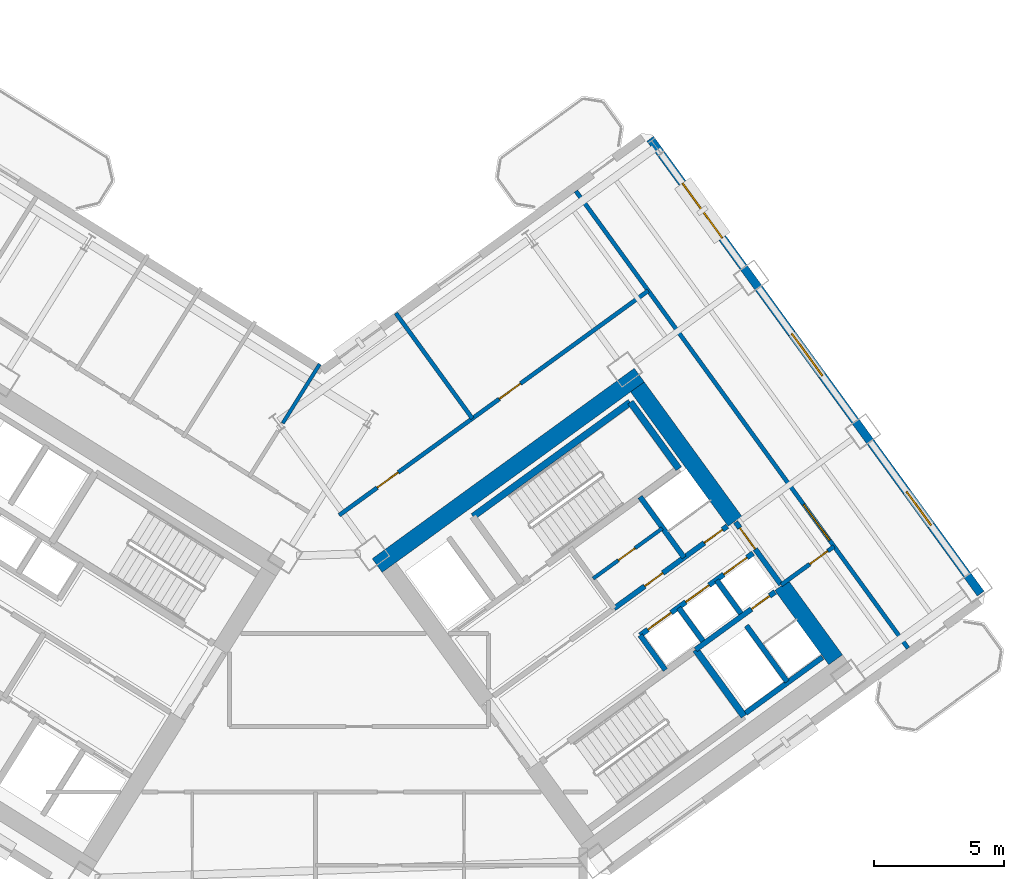
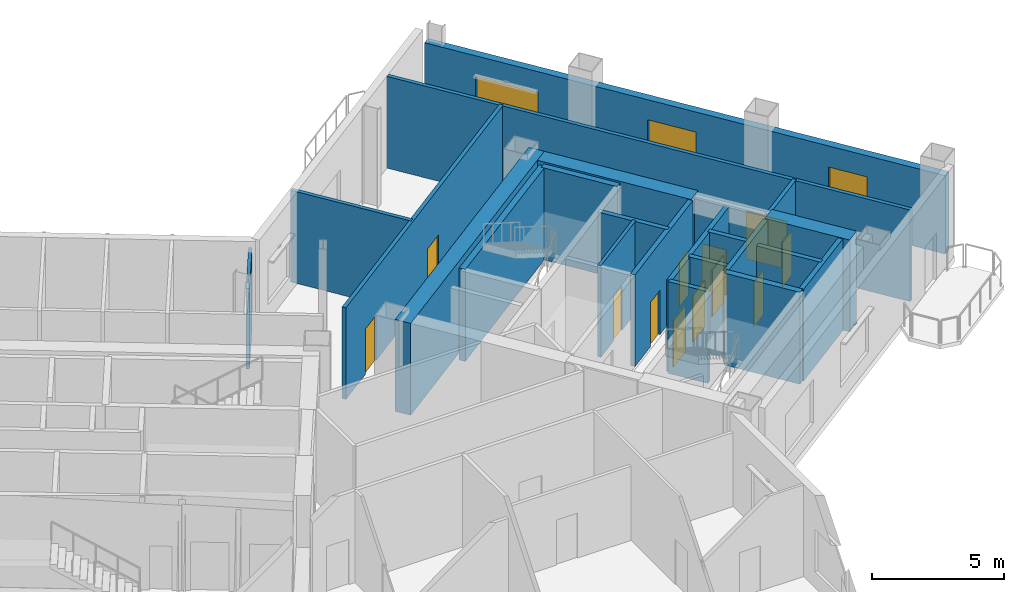
# One storey, part 14 of 19: 23 walls, 12 doors, 3 windows, 15 openings.
"""IFC4 building model written with IfcOpenShell, lengths in metres."""

import ifcopenshell
import ifcopenshell.guid

model = None  # the IFC model being written
_history = None  # IfcOwnerHistory: only IFC2X3 demands one
_inside = {}  # id of a spatial element -> (the spatial element, [elements in it])
_under = {}  # id of a project, library or spatial element -> (it, [spatial elements below it])
_declared = {}  # id of a project -> (the project, [libraries it declares])
_typed = {}  # id of a type object -> (the type object, [elements of that type])
_made_of = {}  # id of a material, layer set ... -> (it, [elements and type objects made of it])


def new_model(schema):
    """Start an empty IFC model of exactly this schema.

    Asked for "IFC4X3", IfcOpenShell would pick the latest addendum, in which some entities
    have other attributes; the version numbers below select the first issue.
    IFC2X3 requires an IfcOwnerHistory on every rooted entity: one is made here for all.
    """
    global model, _history
    if schema == "IFC4X3":
        model = ifcopenshell.file(schema_version=(4, 3, 0, 0))
    else:
        model = ifcopenshell.file(schema=schema)
    _inside.clear()
    _under.clear()
    _declared.clear()
    _typed.clear()
    _made_of.clear()
    _history = None
    if model.schema == "IFC2X3":
        org = make("IfcOrganization", Name="unknown")
        user = make(
            "IfcPersonAndOrganization",
            ThePerson=make("IfcPerson", FamilyName="unknown"),
            TheOrganization=org,
        )
        app = make(
            "IfcApplication",
            ApplicationDeveloper=org,
            Version="unknown",
            ApplicationFullName="unknown",
            ApplicationIdentifier="unknown",
        )
        _history = make(
            "IfcOwnerHistory",
            OwningUser=user,
            OwningApplication=app,
            ChangeAction="ADDED",
            CreationDate=0,
        )
    return model


def make(cls, **values):
    """One entity of the class cls with the attributes given. An attribute that is None is left unset."""
    return model.create_entity(
        cls, **{name: value for name, value in values.items() if value is not None}
    )


def rooted(cls, **values):
    """An entity with a GlobalId (a new one), such as an element, a storey or a relation."""
    return make(cls, GlobalId=ifcopenshell.guid.new(), OwnerHistory=_history, **values)


def si_unit(unit_type, name, prefix=None):
    """IfcSIUnit, for example si_unit("LENGTHUNIT", "METRE", prefix="MILLI")."""
    return make("IfcSIUnit", UnitType=unit_type, Prefix=prefix, Name=name)


def assignment(units):
    """IfcUnitAssignment: the units of a project."""
    return None if units is None else make("IfcUnitAssignment", Units=units)


def point(xyz):
    """IfcCartesianPoint."""
    return None if xyz is None else make("IfcCartesianPoint", Coordinates=xyz)


def direction(xyz):
    """IfcDirection."""
    return None if xyz is None else make("IfcDirection", DirectionRatios=xyz)


def frame(location, z_axis=None, x_axis=None):
    """IfcAxis2Placement3D, a coordinate frame: its origin and axes. An axis left out is left unset."""
    return make(
        "IfcAxis2Placement3D",
        Location=point(location),
        Axis=direction(z_axis),
        RefDirection=direction(x_axis),
    )


def frame_2d(location, x_axis=None):
    """IfcAxis2Placement2D, a coordinate frame in the plane: its origin and x axis."""
    return make(
        "IfcAxis2Placement2D", Location=point(location), RefDirection=direction(x_axis)
    )


def origin():
    """The frame at (0, 0, 0) with its axes left unset."""
    return frame((0.0, 0.0, 0.0))


def place(relative_to, where):
    """IfcLocalPlacement: puts the frame where relative to a parent placement (None: the world)."""
    return make(
        "IfcLocalPlacement", PlacementRelTo=relative_to, RelativePlacement=where
    )


def context(
    kind, dimensions, precision=None, world=None, true_north=None, identifier=None
):
    """IfcGeometricRepresentationContext, for example the 3D "Model" context."""
    return make(
        "IfcGeometricRepresentationContext",
        ContextIdentifier=identifier,
        ContextType=kind,
        CoordinateSpaceDimension=dimensions,
        Precision=precision,
        WorldCoordinateSystem=world,
        TrueNorth=true_north,
    )


def subcontext(parent, identifier, kind, view, scale=None):
    """IfcGeometricRepresentationSubContext, for example "Body" below "Model"."""
    return make(
        "IfcGeometricRepresentationSubContext",
        ContextIdentifier=identifier,
        ContextType=kind,
        ParentContext=parent,
        TargetScale=scale,
        TargetView=view,
    )


def project(units=None, contexts=None):
    """IfcProject with its units and contexts."""
    return rooted(
        "IfcProject",
        Name="project",
        RepresentationContexts=contexts,
        UnitsInContext=assignment(units),
    )


def spatial(cls, under=None, at=None, **own):
    """A site, building, storey or space (cls), placed at a placement, below another one or the project."""
    s = rooted(cls, ObjectPlacement=at, **own)
    if under is not None:
        _under.setdefault(under.id(), (under, []))[1].append(s)
    return s


def profile(cls, at=None, kind="AREA", **sizes):
    """A parametric profile (cls). Its sizes go by their IFC names, for example OverallWidth=200.0."""
    return make(cls, ProfileType=kind, Position=at, **sizes)


def rectangle(**sizes):
    """IfcRectangleProfileDef."""
    return profile("IfcRectangleProfileDef", **sizes)


def extrude(swept, where, along, depth):
    """IfcExtrudedAreaSolid: the profile swept, set in the frame where, extruded along a direction by depth."""
    return make(
        "IfcExtrudedAreaSolid",
        SweptArea=swept,
        Position=where,
        ExtrudedDirection=direction(along),
        Depth=depth,
    )


def shape(context_of_items, identifier, shape_type, items):
    """IfcShapeRepresentation: the items that make up one representation, for example the "Body"."""
    return make(
        "IfcShapeRepresentation",
        ContextOfItems=context_of_items,
        RepresentationIdentifier=identifier,
        RepresentationType=shape_type,
        Items=items,
    )


def source(mapping_origin, context_of_items, identifier, shape_type, items):
    """IfcRepresentationMap: a shape defined once, which mapped items show again and again."""
    return make(
        "IfcRepresentationMap",
        MappingOrigin=mapping_origin,
        MappedRepresentation=shape(context_of_items, identifier, shape_type, items),
    )


def transform(
    local_origin,
    x_axis=None,
    y_axis=None,
    z_axis=None,
    scale=None,
    scale2=None,
    scale3=None,
    uniform=True,
):
    """IfcCartesianTransformationOperator3D, or its non-uniform kind. x_axis, y_axis, z_axis: its Axis1, 2, 3."""
    if uniform:
        return make(
            "IfcCartesianTransformationOperator3D",
            Axis1=direction(x_axis),
            Axis2=direction(y_axis),
            LocalOrigin=point(local_origin),
            Scale=scale,
            Axis3=direction(z_axis),
        )
    return make(
        "IfcCartesianTransformationOperator3DnonUniform",
        Axis1=direction(x_axis),
        Axis2=direction(y_axis),
        LocalOrigin=point(local_origin),
        Scale=scale,
        Axis3=direction(z_axis),
        Scale2=scale2,
        Scale3=scale3,
    )


def mapped(mapping_source, mapping_target):
    """IfcMappedItem: shows the shape of a source again, moved by a transform."""
    return make(
        "IfcMappedItem", MappingSource=mapping_source, MappingTarget=mapping_target
    )


def material(Name=None, Category=None):
    """IfcMaterial."""
    return make("IfcMaterial", Name=Name, Category=Category)


def layer(
    of_material, thickness, ventilated=None, Name=None, Category=None, Priority=None
):
    """IfcMaterialLayer: one layer of a wall or slab, of a material (None: an air gap)."""
    return make(
        "IfcMaterialLayer",
        Material=of_material,
        LayerThickness=thickness,
        IsVentilated=ventilated,
        Name=Name,
        Category=Category,
        Priority=Priority,
    )


def layer_set(layers, Name=None):
    """IfcMaterialLayerSet."""
    return make("IfcMaterialLayerSet", MaterialLayers=layers, LayerSetName=Name)


def made_of(thing, what):
    """Note that an element or type object is made of a material, layer set ...; save() writes the relation."""
    if what is not None:
        _made_of.setdefault(what.id(), (what, []))[1].append(thing)
    return thing


def type_object(cls, material=None, **own):
    """A type object (cls), such as IfcWallType, which elements share."""
    return made_of(rooted(cls, **own), material)


def element(
    cls,
    number,
    at=None,
    inside=None,
    cuts=None,
    type_object=None,
    material=None,
    context=None,
    identifier="Body",
    shape_type=None,
    held_by="IfcProductDefinitionShape",
    body=None,
    shapes=None,
    **own,
):
    """One element of the class cls, such as IfcWall. Its Tag is "e" and its number.

    at: its placement. inside: the storey or other place that contains it. cuts: it is an
    opening in that element (IfcRelVoidsElement). A single representation is given by context,
    identifier, shape_type and body (its items); several are given by shapes. held_by: the class
    of the entity that holds the representations. save() writes the other relations.
    """
    e = rooted(cls, Tag="e%d" % number, ObjectPlacement=at, **own)
    if body is not None:
        shapes = [shape(context, identifier, shape_type, body)]
    if shapes is not None:
        e.Representation = make(held_by, Representations=shapes)
    if inside is not None:
        _inside.setdefault(inside.id(), (inside, []))[1].append(e)
    if cuts is not None:
        rooted(
            "IfcRelVoidsElement", RelatingBuildingElement=cuts, RelatedOpeningElement=e
        )
    if type_object is not None:
        _typed.setdefault(type_object.id(), (type_object, []))[1].append(e)
    return made_of(e, material)


def fill(opening, filler):
    """IfcRelFillsElement: the door or window that sits in an opening."""
    return rooted(
        "IfcRelFillsElement",
        RelatingOpeningElement=opening,
        RelatedBuildingElement=filler,
    )


def aggregate(whole, parts):
    """IfcRelAggregates: a whole, such as a stair, and the parts it consists of."""
    return rooted("IfcRelAggregates", RelatingObject=whole, RelatedObjects=parts)


def save(model, path):
    """Write the relations noted so far, then the file.

    IfcRelAggregates (storeys below a building ...), IfcRelContainedInSpatialStructure (elements
    in a storey), IfcRelDefinesByType, IfcRelAssociatesMaterial and IfcRelDeclares: one each for
    every whole, place, type object, material and project.
    """
    for whole, parts in _under.values():
        aggregate(whole, parts)
    for where, things in _inside.values():
        rooted(
            "IfcRelContainedInSpatialStructure",
            RelatedElements=things,
            RelatingStructure=where,
        )
    for kind, things in _typed.values():
        rooted("IfcRelDefinesByType", RelatedObjects=things, RelatingType=kind)
    for what, things in _made_of.values():
        rooted("IfcRelAssociatesMaterial", RelatedObjects=things, RelatingMaterial=what)
    for by, libraries in _declared.values():
        rooted("IfcRelDeclares", RelatingContext=by, RelatedDefinitions=libraries)
    model.write(path)


model = new_model("IFC4")

# Units and contexts
model_context = context("Model", 3, precision=1e-05, world=origin(), true_north=direction((0.0, 1.0)))
body_context = subcontext(model_context, "Body", "Model", "MODEL_VIEW")
ifc_project = project(units=[si_unit("LENGTHUNIT", "METRE"), si_unit("AREAUNIT", "SQUARE_METRE"), si_unit("VOLUMEUNIT", "CUBIC_METRE"), si_unit("PLANEANGLEUNIT", "RADIAN"), si_unit("MASSUNIT", "GRAM", prefix="KILO")], contexts=[model_context])

# Site, building, storey
site_placement = place(None, origin())
site = spatial("IfcSite", under=ifc_project, at=site_placement, CompositionType="ELEMENT")
building_placement = place(site_placement, origin())
building = spatial("IfcBuilding", under=site, at=building_placement, Name="Tlacorven Tower", CompositionType="ELEMENT")
storey_placement = place(building_placement, frame((0.0, 0.0, 76.5)))
storey = spatial("IfcBuildingStorey", under=building, at=storey_placement, Name="L19", CompositionType="ELEMENT", Elevation=76.5)

# Walls
ifc_material_1 = material(Name="Concrete C60/75", Category="concrete")
ifc_layer_1 = layer(ifc_material_1, 0.64990234375)
ifc_layer_set_1 = layer_set([ifc_layer_1], Name="Concrete C60/75")
wall_type_1 = type_object("IfcWallType", Name="WL-COR-650", PredefinedType="SHEAR", material=ifc_layer_set_1)
wall_1_placement = place(storey_placement, frame((44.32470703125, 24.113037109375, 0.0), z_axis=(0.0, 0.0, 1.0), x_axis=(0.809012664862, 0.58779121131, 0.0)))
element("IfcWall", 1, at=wall_1_placement, inside=storey, type_object=wall_type_1, Name="L19 E core shear wall S2", PredefinedType="SHEAR", context=body_context, shape_type="SweptSolid", body=[
    extrude(rectangle(XDim=12.439697265625, YDim=0.64990234375, at=frame_2d((6.2197265625, 0.0))), origin(), (0.0, 0.0, 1.0), 4.25),
])
wall_2_placement = place(storey_placement, frame((61.9287109375, 20.494384765625, 0.0), z_axis=(0.0, 0.0, 1.0), x_axis=(-0.58782982593, 0.808984607855, 0.0)))
element("IfcWall", 2, at=wall_2_placement, inside=storey, type_object=wall_type_1, Name="L19 E core end wall E2.1", PredefinedType="SHEAR", context=body_context, shape_type="SweptSolid", body=[
    extrude(rectangle(XDim=3.52490234375, YDim=0.64990234375, at=frame_2d((1.762451171875, 0.0))), origin(), (0.0, 0.0, 1.0), 4.25),
])
wall_3_placement = place(storey_placement, frame((58.06396484375, 25.8134765625, 0.0), z_axis=(0.0, 0.0, 1.0), x_axis=(-0.58777996584, 0.809020835181, 0.0)))
element("IfcWall", 3, at=wall_3_placement, inside=storey, type_object=wall_type_1, Name="L19 E core end wall E2.2", PredefinedType="SHEAR", context=body_context, shape_type="SweptSolid", body=[
    extrude(rectangle(XDim=6.375, YDim=0.64990234375, at=frame_2d((3.1875, 0.0))), origin(), (0.0, 0.0, 1.0), 4.25),
])

# Wall, opening, door
ifc_material_2 = material(Name="Gypsum plasterboard acoustic partition", Category="gypsum")
ifc_layer_2 = layer(ifc_material_2, 0.159912109375)
ifc_layer_set_2 = layer_set([ifc_layer_2], Name="Gypsum plasterboard acoustic partition")
wall_type_2 = type_object("IfcWallType", Name="WL-DEM-160", PredefinedType="PARTITIONING", material=ifc_layer_set_2)
wall_4_placement = place(storey_placement, frame((64.708740234375, 20.93798828125, 0.0), z_axis=(0.0, 0.0, 1.0), x_axis=(-0.58777828151, 0.809022058899, 0.0)))
wall_4 = element("IfcWall", 4, at=wall_4_placement, inside=storey, type_object=wall_type_2, Name="L19 partition 79", PredefinedType="PARTITIONING", context=body_context, shape_type="SweptSolid", body=[
    extrude(rectangle(XDim=21.7001953125, YDim=0.159912109375, at=frame_2d((10.85009765625, 0.0))), origin(), (0.0, 0.0, 1.0), 4.239990234375),
])
opening_1_placement = place(wall_4_placement, frame((5.1201171875, 0.0, 0.0)))
opening_1 = element("IfcOpeningElement", 5, at=opening_1_placement, cuts=wall_4, Name="Opening D17", PredefinedType="OPENING", context=body_context, shape_type="SweptSolid", body=[
    extrude(rectangle(XDim=1.699951171875, YDim=2.199951171875, at=frame_2d((0.85009765625, 1.10009765625))), frame((0.0, 0.08984375, 0.0), z_axis=(0.0, -1.0, 0.0), x_axis=(1.0, 0.0, 0.0)), (0.0, 0.0, 1.0), 0.179931640625),
])
ifc_material_3 = material(Name="Fire-rated steel door assembly", Category="steel")
door_type_1 = type_object("IfcDoorType", Name="DR-COM-HALL-1700", OperationType="DOUBLE_DOOR_SINGLE_SWING", PredefinedType="DOOR", material=ifc_material_3)
shared_shape_1 = source(origin(), body_context, "Body", "SweptSolid", [
    extrude(rectangle(XDim=1.699951171875, YDim=2.199951171875, at=frame_2d((0.85009765625, 1.10009765625))), frame((0.0, 0.02490234375, 0.0), z_axis=(0.0, -1.0, 0.0), x_axis=(1.0, 0.0, 0.0)), (0.0, 0.0, 1.0), 0.050048828125),
])
door_1_placement = place(opening_1_placement, origin())
door_1 = element("IfcDoor", 6, at=door_1_placement, inside=storey, type_object=door_type_1, Name="L19 door 045", OperationType="DOUBLE_DOOR_SINGLE_SWING", OverallHeight=2.199951171875, OverallWidth=1.699951171875, PredefinedType="DOOR", context=body_context, shape_type="MappedRepresentation", body=[
    mapped(shared_shape_1, transform((0.0, 0.0, 0.0), scale=1.0)),
])
fill(opening_1, door_1)

wall_5_placement = place(storey_placement, frame((59.839111328125, 23.370361328125, 0.0), z_axis=(0.0, 0.0, 1.0), x_axis=(0.809000999347, 0.58780726693, 0.0)))
wall_5 = element("IfcWall", 7, at=wall_5_placement, inside=storey, type_object=wall_type_2, Name="L19 partition 80", PredefinedType="PARTITIONING", context=body_context, shape_type="SweptSolid", body=[
    extrude(rectangle(XDim=2.510009765625, YDim=0.159912109375, at=frame_2d((1.2548828125, 0.0))), origin(), (0.0, 0.0, 1.0), 4.239990234375),
])
opening_2_placement = place(wall_5_placement, frame((1.35009765625, 0.0, 0.0)))
opening_2 = element("IfcOpeningElement", 8, at=opening_2_placement, cuts=wall_5, Name="Opening D19", PredefinedType="OPENING", context=body_context, shape_type="SweptSolid", body=[
    extrude(rectangle(XDim=0.860107421875, YDim=2.050048828125, at=frame_2d((0.43017578125, 1.02490234375))), frame((0.0, 0.08984375, 0.0), z_axis=(0.0, -1.0, 0.0), x_axis=(1.0, 0.0, 0.0)), (0.0, 0.0, 1.0), 0.179931640625),
])
door_type_2 = type_object("IfcDoorType", Name="DR-RSR-FD60-0860", OperationType="NOTDEFINED", PredefinedType="DOOR", material=ifc_material_3)
shared_shape_2 = source(origin(), body_context, "Body", "SweptSolid", [
    extrude(rectangle(XDim=0.860107421875, YDim=2.050048828125, at=frame_2d((0.43017578125, 1.02490234375))), frame((0.0, 0.02490234375, 0.0), z_axis=(0.0, -1.0, 0.0), x_axis=(1.0, 0.0, 0.0)), (0.0, 0.0, 1.0), 0.050048828125),
])
door_2_placement = place(opening_2_placement, frame((0.860107421875, 0.0, 0.0), z_axis=(0.0, 0.0, 1.0), x_axis=(-1.0, 0.0, 0.0)))
door_2 = element("IfcDoor", 9, at=door_2_placement, inside=storey, type_object=door_type_2, Name="L19 door 043", OperationType="SINGLE_SWING_RIGHT", OverallHeight=2.050048828125, OverallWidth=0.860107421875, PredefinedType="DOOR", context=body_context, shape_type="MappedRepresentation", body=[
    mapped(shared_shape_2, transform((0.0, 0.0, 0.0), scale=1.0)),
])
fill(opening_2, door_2)

# Wall, openings, doors
wall_6_placement = place(storey_placement, frame((42.86572265625, 26.04443359375, 0.0), z_axis=(0.0, 0.0, 1.0), x_axis=(0.809020254154, 0.587780765566, 0.0)))
wall_6 = element("IfcWall", 10, at=wall_6_placement, inside=storey, type_object=wall_type_2, Name="L19 partition 82", PredefinedType="PARTITIONING", context=body_context, shape_type="SweptSolid", body=[
    extrude(rectangle(XDim=14.670166015625, YDim=0.159912109375, at=frame_2d((7.3349609375, 0.0))), origin(), (0.0, 0.0, 1.0), 4.239990234375),
])
opening_3_placement = place(wall_6_placement, frame((1.800048828125, 0.0, 0.0)))
opening_3 = element("IfcOpeningElement", 11, at=opening_3_placement, cuts=wall_6, Name="Opening D11", PredefinedType="OPENING", context=body_context, shape_type="SweptSolid", body=[
    extrude(rectangle(XDim=1.0, YDim=2.10009765625, at=frame_2d((0.5, 1.050048828125))), frame((0.0, 0.08984375, 0.0), z_axis=(0.0, -1.0, 0.0), x_axis=(1.0, 0.0, 0.0)), (0.0, 0.0, 1.0), 0.179931640625),
])
opening_4_placement = place(wall_6_placement, frame((7.60009765625, 0.0, 0.0)))
opening_4 = element("IfcOpeningElement", 12, at=opening_4_placement, cuts=wall_6, Name="Opening D11", PredefinedType="OPENING", context=body_context, shape_type="SweptSolid", body=[
    extrude(rectangle(XDim=1.0, YDim=2.10009765625, at=frame_2d((0.5, 1.050048828125))), frame((0.0, 0.08984375, 0.0), z_axis=(0.0, -1.0, 0.0), x_axis=(1.0, 0.0, 0.0)), (0.0, 0.0, 1.0), 0.179931640625),
])
door_type_3 = type_object("IfcDoorType", Name="DR-FLT-FD60-1000", OperationType="NOTDEFINED", PredefinedType="DOOR", material=ifc_material_3)
shared_shape_3 = source(origin(), body_context, "Body", "SweptSolid", [
    extrude(rectangle(XDim=1.0, YDim=2.10009765625, at=frame_2d((0.5, 1.050048828125))), frame((0.0, 0.02490234375, 0.0), z_axis=(0.0, -1.0, 0.0), x_axis=(1.0, 0.0, 0.0)), (0.0, 0.0, 1.0), 0.050048828125),
])
door_3_placement = place(opening_3_placement, origin())
door_3 = element("IfcDoor", 13, at=door_3_placement, inside=storey, type_object=door_type_3, Name="L19 door 046", OperationType="SINGLE_SWING_RIGHT", OverallHeight=2.10009765625, OverallWidth=1.0, PredefinedType="DOOR", context=body_context, shape_type="MappedRepresentation", body=[
    mapped(shared_shape_3, transform((0.0, 0.0, 0.0), scale=1.0)),
])
fill(opening_3, door_3)
door_4_placement = place(opening_4_placement, origin())
door_4 = element("IfcDoor", 14, at=door_4_placement, inside=storey, type_object=door_type_3, Name="L19 door 047", OperationType="SINGLE_SWING_LEFT", OverallHeight=2.10009765625, OverallWidth=1.0, PredefinedType="DOOR", context=body_context, shape_type="MappedRepresentation", body=[
    mapped(shared_shape_3, transform((0.0, 0.0, 0.0), scale=1.0)),
])
fill(opening_4, door_4)

# Wall
wall_7_placement = place(storey_placement, frame((47.978759765625, 29.759033203125, 0.0), z_axis=(0.0, 0.0, 1.0), x_axis=(-0.587782595105, 0.809018924928, 0.0)))
element("IfcWall", 15, at=wall_7_placement, inside=storey, type_object=wall_type_2, Name="L19 partition 83", PredefinedType="PARTITIONING", context=body_context, shape_type="SweptSolid", body=[
    extrude(rectangle(XDim=5.0, YDim=0.159912109375, at=frame_2d((2.5, 0.0))), origin(), (0.0, 0.0, 1.0), 4.239990234375),
])

# Wall, openings, windows
ifc_material_4 = material(Name="Precast concrete C45/55", Category="concrete")
ifc_layer_3 = layer(ifc_material_4, 0.320068359375)
ifc_layer_set_3 = layer_set([ifc_layer_3], Name="Precast concrete C45/55")
wall_type_3 = type_object("IfcWallType", Name="WL-EXT-320", PredefinedType="STANDARD", material=ifc_layer_set_3)
wall_8_placement = place(storey_placement, frame((54.810302734375, 40.49951171875, 0.0), z_axis=(0.0, 0.0, 1.0), x_axis=(0.587783625747, -0.809018176127, 0.0)))
wall_8 = element("IfcWall", 16, at=wall_8_placement, inside=storey, type_object=wall_type_3, Name="L19 Masonry-Frame Recessed Facade Wall 5", PredefinedType="STANDARD", context=body_context, shape_type="SweptSolid", body=[
    extrude(rectangle(XDim=21.58740234375, YDim=0.320068359375, at=frame_2d((10.793701171875, 0.0))), origin(), (0.0, 0.0, 1.0), 3.625),
])
opening_5_placement = place(wall_8_placement, frame((2.106201171875, 0.0, 0.699951171875)))
opening_5 = element("IfcOpeningElement", 17, at=opening_5_placement, cuts=wall_8, Name="Opening WN10", PredefinedType="OPENING", context=body_context, shape_type="SweptSolid", body=[
    extrude(rectangle(XDim=2.60009765625, YDim=2.0, at=frame_2d((1.300048828125, 1.0))), frame((0.0, 0.169921875, 0.0), z_axis=(0.0, -1.0, 0.0), x_axis=(1.0, 0.0, 0.0)), (0.0, 0.0, 1.0), 0.340087890625),
])
opening_6_placement = place(wall_8_placement, frame((9.24365234375, 0.0, 0.75)))
opening_6 = element("IfcOpeningElement", 18, at=opening_6_placement, cuts=wall_8, Name="Opening WN11", PredefinedType="OPENING", context=body_context, shape_type="SweptSolid", body=[
    extrude(rectangle(XDim=2.0, YDim=1.949951171875, at=frame_2d((1.0, 0.97509765625))), frame((0.0, 0.169921875, 0.0), z_axis=(0.0, -1.0, 0.0), x_axis=(1.0, 0.0, 0.0)), (0.0, 0.0, 1.0), 0.340087890625),
])
opening_7_placement = place(wall_8_placement, frame((16.74365234375, 0.0, 0.85009765625)))
opening_7 = element("IfcOpeningElement", 19, at=opening_7_placement, cuts=wall_8, Name="Opening WN12", PredefinedType="OPENING", context=body_context, shape_type="SweptSolid", body=[
    extrude(rectangle(XDim=1.60009765625, YDim=1.800048828125, at=frame_2d((0.800048828125, 0.89990234375))), frame((0.0, 0.169921875, 0.0), z_axis=(0.0, -1.0, 0.0), x_axis=(1.0, 0.0, 0.0)), (0.0, 0.0, 1.0), 0.340087890625),
])
ifc_material_5 = material(Name="Dark solar low-E double glazing in anodised aluminium frame", Category="aluminium")
window_type_1 = type_object("IfcWindowType", Name="WN-COM-2600X2200", PartitioningType="SINGLE_PANEL", PredefinedType="WINDOW", material=ifc_material_5)
shared_shape_4 = source(origin(), body_context, "Body", "SweptSolid", [
    extrude(rectangle(XDim=2.60009765625, YDim=2.0, at=frame_2d((1.300048828125, 1.0))), frame((0.0, 0.030029296875, 0.0), z_axis=(0.0, -1.0, 0.0), x_axis=(1.0, 0.0, 0.0)), (0.0, 0.0, 1.0), 0.06005859375),
])
window_1_placement = place(opening_5_placement, origin())
window_1 = element("IfcWindow", 20, at=window_1_placement, inside=storey, type_object=window_type_1, Name="L19 Recessed Masonry-Frame Window L19-05.1", OverallHeight=2.0, OverallWidth=2.60009765625, PartitioningType="SINGLE_PANEL", PredefinedType="WINDOW", context=body_context, shape_type="MappedRepresentation", body=[
    mapped(shared_shape_4, transform((0.0, 0.0, 0.0), scale=1.0)),
])
fill(opening_5, window_1)
window_type_2 = type_object("IfcWindowType", Name="WN-COM-1600X1900", PartitioningType="SINGLE_PANEL", PredefinedType="WINDOW", material=ifc_material_5)
shared_shape_5 = source(origin(), body_context, "Body", "SweptSolid", [
    extrude(rectangle(XDim=1.60009765625, YDim=1.800048828125, at=frame_2d((0.800048828125, 0.89990234375))), frame((0.0, 0.030029296875, 0.0), z_axis=(0.0, -1.0, 0.0), x_axis=(1.0, 0.0, 0.0)), (0.0, 0.0, 1.0), 0.06005859375),
])
window_2_placement = place(opening_7_placement, origin())
window_2 = element("IfcWindow", 21, at=window_2_placement, inside=storey, type_object=window_type_2, Name="L19 Recessed Masonry-Frame Window L19-05.3", OverallHeight=1.800048828125, OverallWidth=1.60009765625, PartitioningType="SINGLE_PANEL", PredefinedType="WINDOW", context=body_context, shape_type="MappedRepresentation", body=[
    mapped(shared_shape_5, transform((0.0, 0.0, 0.0), scale=1.0)),
])
fill(opening_7, window_2)
window_type_3 = type_object("IfcWindowType", Name="WN-COM-2000X2100", PartitioningType="SINGLE_PANEL", PredefinedType="WINDOW", material=ifc_material_5)
shared_shape_6 = source(origin(), body_context, "Body", "SweptSolid", [
    extrude(rectangle(XDim=2.0, YDim=1.949951171875, at=frame_2d((1.0, 0.97509765625))), frame((0.0, 0.030029296875, 0.0), z_axis=(0.0, -1.0, 0.0), x_axis=(1.0, 0.0, 0.0)), (0.0, 0.0, 1.0), 0.06005859375),
])
window_3_placement = place(opening_6_placement, origin())
window_3 = element("IfcWindow", 22, at=window_3_placement, inside=storey, type_object=window_type_3, Name="L19 Recessed Masonry-Frame Window L19-05.2", OverallHeight=1.949951171875, OverallWidth=2.0, PartitioningType="SINGLE_PANEL", PredefinedType="WINDOW", context=body_context, shape_type="MappedRepresentation", body=[
    mapped(shared_shape_6, transform((0.0, 0.0, 0.0), scale=1.0)),
])
fill(opening_6, window_3)

# Wall, opening, door
ifc_material_6 = material(Name="Moisture-resistant gypsum plumbing wall", Category="gypsum")
ifc_layer_4 = layer(ifc_material_6, 0.139892578125)
ifc_layer_set_4 = layer_set([ifc_layer_4], Name="Moisture-resistant gypsum plumbing wall")
wall_type_4 = type_object("IfcWallType", Name="WL-PLM-140", PredefinedType="PLUMBINGWALL", material=ifc_layer_set_4)
wall_9_placement = place(storey_placement, frame((52.617919921875, 23.612060546875, 0.0), z_axis=(0.0, 0.0, 1.0), x_axis=(0.809009587469, 0.587795446889, 0.0)))
wall_9 = element("IfcWall", 23, at=wall_9_placement, inside=storey, type_object=wall_type_4, Name="L19 partition 45", PredefinedType="PLUMBINGWALL", context=body_context, shape_type="SweptSolid", body=[
    extrude(rectangle(XDim=3.280029296875, YDim=0.139892578125, at=frame_2d((1.64013671875, 0.0))), origin(), (0.0, 0.0, 1.0), 4.239990234375),
])
opening_8_placement = place(wall_9_placement, frame((1.199951171875, 0.0, 0.0)))
opening_8 = element("IfcOpeningElement", 24, at=opening_8_placement, cuts=wall_9, Name="Opening D22", PredefinedType="OPENING", context=body_context, shape_type="SweptSolid", body=[
    extrude(rectangle(XDim=0.780029296875, YDim=2.050048828125, at=frame_2d((0.39013671875, 1.02490234375))), frame((0.0, 0.080078125, 0.0), z_axis=(0.0, -1.0, 0.0), x_axis=(1.0, 0.0, 0.0)), (0.0, 0.0, 1.0), 0.159912109375),
])
ifc_material_7 = material(Name="Powder-coated aluminium and timber door", Category="wood")
door_type_4 = type_object("IfcDoorType", Name="DR-INT-WET-0780", OperationType="NOTDEFINED", PredefinedType="DOOR", material=ifc_material_7)
shared_shape_7 = source(origin(), body_context, "Body", "SweptSolid", [
    extrude(rectangle(XDim=0.780029296875, YDim=2.050048828125, at=frame_2d((0.39013671875, 1.02490234375))), frame((0.0, 0.02490234375, 0.0), z_axis=(0.0, -1.0, 0.0), x_axis=(1.0, 0.0, 0.0)), (0.0, 0.0, 1.0), 0.050048828125),
])
door_5_placement = place(opening_8_placement, origin())
door_5 = element("IfcDoor", 25, at=door_5_placement, inside=storey, type_object=door_type_4, Name="L19 door 018", OperationType="SINGLE_SWING_RIGHT", OverallHeight=2.050048828125, OverallWidth=0.780029296875, PredefinedType="DOOR", context=body_context, shape_type="MappedRepresentation", body=[
    mapped(shared_shape_7, transform((0.0, 0.0, 0.0), scale=1.0)),
])
fill(opening_8, door_5)

# Wall
wall_10_placement = place(storey_placement, frame((42.118896484375, 31.8525390625, 0.0), z_axis=(0.0, 0.0, 1.0), x_axis=(-0.529933506458, -0.848039196461, 0.0)))
element("IfcWall", 26, at=wall_10_placement, inside=storey, type_object=wall_type_4, Name="L19 partition 57", PredefinedType="PLUMBINGWALL", context=body_context, shape_type="SweptSolid", body=[
    extrude(rectangle(XDim=2.68310546875, YDim=0.139892578125, at=frame_2d((1.341552734375, 0.0))), origin(), (0.0, 0.0, 1.0), 3.735107421875),
])

# Wall, opening, door
ifc_material_8 = material(Name="Concrete C40/50", Category="concrete")
ifc_layer_5 = layer(ifc_material_8, 0.199951171875)
ifc_layer_set_5 = layer_set([ifc_layer_5], Name="Concrete C40/50")
wall_type_5 = type_object("IfcWallType", Name="WL-SHF-200", PredefinedType="STANDARD", material=ifc_layer_set_5)
wall_11_placement = place(storey_placement, frame((56.552978515625, 20.884033203125, 0.0), z_axis=(0.0, 0.0, 1.0), x_axis=(0.809035789462, 0.587759382205, 0.0)))
wall_11 = element("IfcWall", 27, at=wall_11_placement, inside=storey, type_object=wall_type_5, Name="L19 Core E South Lift Shaft Wall", PredefinedType="STANDARD", context=body_context, shape_type="SweptSolid", body=[
    extrude(rectangle(XDim=3.767822265625, YDim=0.199951171875, at=frame_2d((1.8837890625, 0.0))), origin(), (0.0, 0.0, 1.0), 4.239990234375),
])
opening_9_placement = place(wall_11_placement, frame((2.64990234375, 0.0, 0.0)))
opening_9 = element("IfcOpeningElement", 28, at=opening_9_placement, cuts=wall_11, Name="Opening D19", PredefinedType="OPENING", context=body_context, shape_type="SweptSolid", body=[
    extrude(rectangle(XDim=0.860107421875, YDim=2.050048828125, at=frame_2d((0.43017578125, 1.02490234375))), frame((0.0, 0.10986328125, 0.0), z_axis=(0.0, -1.0, 0.0), x_axis=(1.0, 0.0, 0.0)), (0.0, 0.0, 1.0), 0.219970703125),
])
door_6_placement = place(opening_9_placement, origin())
door_6 = element("IfcDoor", 29, at=door_6_placement, inside=storey, type_object=door_type_2, Name="L19 Smoke Extract Riser Access Door", OperationType="SINGLE_SWING_LEFT", OverallHeight=2.050048828125, OverallWidth=0.860107421875, PredefinedType="DOOR", context=body_context, shape_type="MappedRepresentation", body=[
    mapped(shared_shape_2, transform((0.0, 0.0, 0.0), scale=1.0)),
])
fill(opening_9, door_6)

# Wall, openings, doors
wall_12_placement = place(storey_placement, frame((54.421142578125, 21.436279296875, 0.0), z_axis=(0.0, 0.0, 1.0), x_axis=(0.809013710463, 0.587789772183, 0.0)))
wall_12 = element("IfcWall", 30, at=wall_12_placement, inside=storey, type_object=wall_type_5, Name="L19 partition 33", PredefinedType="STANDARD", context=body_context, shape_type="SweptSolid", body=[
    extrude(rectangle(XDim=5.360107421875, YDim=0.199951171875, at=frame_2d((2.68017578125, 0.0))), origin(), (0.0, 0.0, 1.0), 4.239990234375),
])
opening_10_placement = place(wall_12_placement, frame((0.3701171875, 0.0, 0.0)))
opening_10 = element("IfcOpeningElement", 31, at=opening_10_placement, cuts=wall_12, Name="Opening LD01", PredefinedType="OPENING", context=body_context, shape_type="SweptSolid", body=[
    extrude(rectangle(XDim=1.10009765625, YDim=2.14990234375, at=frame_2d((0.550048828125, 1.074951171875))), frame((0.0, 0.10986328125, 0.0), z_axis=(0.0, -1.0, 0.0), x_axis=(1.0, 0.0, 0.0)), (0.0, 0.0, 1.0), 0.219970703125),
])
opening_11_placement = place(wall_12_placement, frame((2.169921875, 0.0, 0.0)))
opening_11 = element("IfcOpeningElement", 32, at=opening_11_placement, cuts=wall_12, Name="Opening LD01", PredefinedType="OPENING", context=body_context, shape_type="SweptSolid", body=[
    extrude(rectangle(XDim=1.10009765625, YDim=2.14990234375, at=frame_2d((0.550048828125, 1.074951171875))), frame((0.0, 0.10986328125, 0.0), z_axis=(0.0, -1.0, 0.0), x_axis=(1.0, 0.0, 0.0)), (0.0, 0.0, 1.0), 0.219970703125),
])
opening_12_placement = place(wall_12_placement, frame((3.969970703125, 0.0, 0.0)))
opening_12 = element("IfcOpeningElement", 33, at=opening_12_placement, cuts=wall_12, Name="Opening LD01", PredefinedType="OPENING", context=body_context, shape_type="SweptSolid", body=[
    extrude(rectangle(XDim=1.10009765625, YDim=2.14990234375, at=frame_2d((0.550048828125, 1.074951171875))), frame((0.0, 0.10986328125, 0.0), z_axis=(0.0, -1.0, 0.0), x_axis=(1.0, 0.0, 0.0)), (0.0, 0.0, 1.0), 0.219970703125),
])
door_type_5 = type_object("IfcDoorType", Name="DR-LFT-SLID-1100", OperationType="DOUBLE_DOOR_SLIDING", PredefinedType="DOOR", material=ifc_material_3)
shared_shape_8 = source(origin(), body_context, "Body", "SweptSolid", [
    extrude(rectangle(XDim=1.10009765625, YDim=2.14990234375, at=frame_2d((0.550048828125, 1.074951171875))), frame((0.0, 0.02490234375, 0.0), z_axis=(0.0, -1.0, 0.0), x_axis=(1.0, 0.0, 0.0)), (0.0, 0.0, 1.0), 0.050048828125),
])
door_7_placement = place(opening_10_placement, origin())
door_7 = element("IfcDoor", 34, at=door_7_placement, inside=storey, type_object=door_type_5, Name="L19 Lift PL-L1 Sliding Landing Door", OperationType="DOUBLE_DOOR_SLIDING", OverallHeight=2.14990234375, OverallWidth=1.10009765625, PredefinedType="DOOR", context=body_context, shape_type="MappedRepresentation", body=[
    mapped(shared_shape_8, transform((0.0, 0.0, 0.0), scale=1.0)),
])
fill(opening_10, door_7)
door_8_placement = place(opening_11_placement, origin())
door_8 = element("IfcDoor", 35, at=door_8_placement, inside=storey, type_object=door_type_5, Name="L19 Lift PL-L2 Sliding Landing Door", OperationType="DOUBLE_DOOR_SLIDING", OverallHeight=2.14990234375, OverallWidth=1.10009765625, PredefinedType="DOOR", context=body_context, shape_type="MappedRepresentation", body=[
    mapped(shared_shape_8, transform((0.0, 0.0, 0.0), scale=1.0)),
])
fill(opening_11, door_8)
door_9_placement = place(opening_12_placement, origin())
door_9 = element("IfcDoor", 36, at=door_9_placement, inside=storey, type_object=door_type_5, Name="L19 Lift PL-L3 Sliding Landing Door", OperationType="DOUBLE_DOOR_SLIDING", OverallHeight=2.14990234375, OverallWidth=1.10009765625, PredefinedType="DOOR", context=body_context, shape_type="MappedRepresentation", body=[
    mapped(shared_shape_8, transform((0.0, 0.0, 0.0), scale=1.0)),
])
fill(opening_12, door_9)

# Walls
wall_13_placement = place(storey_placement, frame((55.390869140625, 20.1015625, 0.0), z_axis=(0.0, 0.0, 1.0), x_axis=(-0.58778447739, 0.809017557374, 0.0)))
element("IfcWall", 37, at=wall_13_placement, inside=storey, type_object=wall_type_5, Name="L19 partition 34", PredefinedType="STANDARD", context=body_context, shape_type="SweptSolid", body=[
    extrude(rectangle(XDim=1.64990234375, YDim=0.199951171875, at=frame_2d((0.824951171875, 0.0))), origin(), (0.0, 0.0, 1.0), 4.239990234375),
])
wall_14_placement = place(storey_placement, frame((56.833984375, 21.211669921875, 0.0), z_axis=(0.0, 0.0, 1.0), x_axis=(-0.58776738483, 0.809029975545, 0.0)))
element("IfcWall", 38, at=wall_14_placement, inside=storey, type_object=wall_type_5, Name="L19 partition 36", PredefinedType="STANDARD", context=body_context, shape_type="SweptSolid", body=[
    extrude(rectangle(XDim=1.580078125, YDim=0.199951171875, at=frame_2d((0.7900390625, 0.0))), origin(), (0.0, 0.0, 1.0), 4.239990234375),
])
wall_15_placement = place(storey_placement, frame((58.290283203125, 22.269775390625, 0.0), z_axis=(0.0, 0.0, 1.0), x_axis=(-0.587840865826, 0.808976585857, 0.0)))
element("IfcWall", 39, at=wall_15_placement, inside=storey, type_object=wall_type_5, Name="L19 partition 37", PredefinedType="STANDARD", context=body_context, shape_type="SweptSolid", body=[
    extrude(rectangle(XDim=1.579833984375, YDim=0.199951171875, at=frame_2d((0.7900390625, 0.0))), origin(), (0.0, 0.0, 1.0), 4.239990234375),
])
wall_16_placement = place(storey_placement, frame((60.066650390625, 19.654541015625, 0.0), z_axis=(0.0, 0.0, 1.0), x_axis=(-0.587800520745, 0.809005900975, 0.0)))
element("IfcWall", 40, at=wall_16_placement, inside=storey, type_object=wall_type_5, Name="L19 partition 38", PredefinedType="STANDARD", context=body_context, shape_type="SweptSolid", body=[
    extrude(rectangle(XDim=2.659912109375, YDim=0.199951171875, at=frame_2d((1.330078125, 0.0))), origin(), (0.0, 0.0, 1.0), 4.239990234375),
])
wall_17_placement = place(storey_placement, frame((58.47216796875, 18.446533203125, 0.0), z_axis=(0.0, 0.0, 1.0), x_axis=(0.809022487728, 0.587777691266, 0.0)))
element("IfcWall", 41, at=wall_17_placement, inside=storey, type_object=wall_type_5, Name="L19 partition 40", PredefinedType="STANDARD", context=body_context, shape_type="SweptSolid", body=[
    extrude(rectangle(XDim=3.648193359375, YDim=0.199951171875, at=frame_2d((1.82421875, 0.0))), origin(), (0.0, 0.0, 1.0), 4.239990234375),
])
wall_18_placement = place(storey_placement, frame((56.110595703125, 24.4189453125, 0.0), z_axis=(0.0, 0.0, 1.0), x_axis=(-0.58777848983, 0.809021907548, 0.0)))
element("IfcWall", 42, at=wall_18_placement, inside=storey, type_object=wall_type_5, Name="L19 partition 43", PredefinedType="STANDARD", context=body_context, shape_type="SweptSolid", body=[
    extrude(rectangle(XDim=2.880126953125, YDim=0.199951171875, at=frame_2d((1.43994140625, 0.0))), origin(), (0.0, 0.0, 1.0), 4.239990234375),
])

# Wall, openings, doors
wall_19_placement = place(storey_placement, frame((53.424560546875, 22.467529296875, 0.0), z_axis=(0.0, 0.0, 1.0), x_axis=(0.80902705128, 0.587771409902, 0.0)))
wall_19 = element("IfcWall", 43, at=wall_19_placement, inside=storey, type_object=wall_type_5, Name="L19 Core E North Service Wall", PredefinedType="STANDARD", context=body_context, shape_type="SweptSolid", body=[
    extrude(rectangle(XDim=5.3681640625, YDim=0.199951171875, at=frame_2d((2.68408203125, 0.0))), origin(), (0.0, 0.0, 1.0), 4.239990234375),
])
opening_13_placement = place(wall_19_placement, frame((4.280029296875, 0.0, 0.0)))
opening_13 = element("IfcOpeningElement", 44, at=opening_13_placement, cuts=wall_19, Name="Opening D19", PredefinedType="OPENING", context=body_context, shape_type="SweptSolid", body=[
    extrude(rectangle(XDim=0.860107421875, YDim=2.050048828125, at=frame_2d((0.43017578125, 1.02490234375))), frame((0.0, 0.10986328125, 0.0), z_axis=(0.0, -1.0, 0.0), x_axis=(1.0, 0.0, 0.0)), (0.0, 0.0, 1.0), 0.219970703125),
])
opening_14_placement = place(wall_19_placement, frame((1.449951171875, 0.0, 0.0)))
opening_14 = element("IfcOpeningElement", 45, at=opening_14_placement, cuts=wall_19, Name="Opening D19", PredefinedType="OPENING", context=body_context, shape_type="SweptSolid", body=[
    extrude(rectangle(XDim=0.860107421875, YDim=2.050048828125, at=frame_2d((0.43017578125, 1.02490234375))), frame((0.0, 0.10986328125, 0.0), z_axis=(0.0, -1.0, 0.0), x_axis=(1.0, 0.0, 0.0)), (0.0, 0.0, 1.0), 0.219970703125),
])
door_10_placement = place(opening_13_placement, frame((0.860107421875, 0.0, 0.0), z_axis=(0.0, 0.0, 1.0), x_axis=(-1.0, 0.0, 0.0)))
door_10 = element("IfcDoor", 46, at=door_10_placement, inside=storey, type_object=door_type_2, Name="L19 Electrical Riser Access Door E", OperationType="SINGLE_SWING_RIGHT", OverallHeight=2.050048828125, OverallWidth=0.860107421875, PredefinedType="DOOR", context=body_context, shape_type="MappedRepresentation", body=[
    mapped(shared_shape_2, transform((0.0, 0.0, 0.0), scale=1.0)),
])
fill(opening_13, door_10)
door_11_placement = place(opening_14_placement, frame((0.860107421875, 0.0, 0.0), z_axis=(0.0, 0.0, 1.0), x_axis=(-1.0, 0.0, 0.0)))
door_11 = element("IfcDoor", 47, at=door_11_placement, inside=storey, type_object=door_type_2, Name="L19 Cleaner Store Access Door E", OperationType="SINGLE_SWING_LEFT", OverallHeight=2.050048828125, OverallWidth=0.860107421875, PredefinedType="DOOR", context=body_context, shape_type="MappedRepresentation", body=[
    mapped(shared_shape_2, transform((0.0, 0.0, 0.0), scale=1.0)),
])
fill(opening_14, door_11)

# Wall, opening, door
wall_20_placement = place(storey_placement, frame((59.827392578125, 23.386474609375, 0.0), z_axis=(0.0, 0.0, 1.0), x_axis=(-0.587803840107, 0.809003489211, 0.0)))
wall_20 = element("IfcWall", 48, at=wall_20_placement, inside=storey, type_object=wall_type_5, Name="L19 partition 78", PredefinedType="STANDARD", context=body_context, shape_type="SweptSolid", body=[
    extrude(rectangle(XDim=2.960205078125, YDim=0.199951171875, at=frame_2d((1.47998046875, 0.0))), origin(), (0.0, 0.0, 1.0), 4.239990234375),
])
opening_15_placement = place(wall_20_placement, frame((1.679931640625, 0.0, 0.0)))
opening_15 = element("IfcOpeningElement", 49, at=opening_15_placement, cuts=wall_20, Name="Opening D11", PredefinedType="OPENING", context=body_context, shape_type="SweptSolid", body=[
    extrude(rectangle(XDim=1.0, YDim=2.10009765625, at=frame_2d((0.5, 1.050048828125))), frame((0.0, 0.10986328125, 0.0), z_axis=(0.0, -1.0, 0.0), x_axis=(1.0, 0.0, 0.0)), (0.0, 0.0, 1.0), 0.219970703125),
])
door_12_placement = place(opening_15_placement, origin())
door_12 = element("IfcDoor", 50, at=door_12_placement, inside=storey, type_object=door_type_3, Name="L19 door 044", OperationType="SINGLE_SWING_LEFT", OverallHeight=2.10009765625, OverallWidth=1.0, PredefinedType="DOOR", context=body_context, shape_type="MappedRepresentation", body=[
    mapped(shared_shape_3, transform((0.0, 0.0, 0.0), scale=1.0)),
])
fill(opening_15, door_12)

# Walls
ifc_material_9 = material(Name="Concrete C50/60", Category="concrete")
ifc_layer_6 = layer(ifc_material_9, 0.260009765625)
ifc_layer_set_6 = layer_set([ifc_layer_6], Name="Concrete C50/60")
wall_type_6 = type_object("IfcWallType", Name="WL-STW-260", PredefinedType="SHEAR", material=ifc_layer_set_6)
wall_21_placement = place(storey_placement, frame((48.005615234375, 25.996337890625, 0.0), z_axis=(0.0, 0.0, 1.0), x_axis=(0.80901903764, 0.587782439969, 0.0)))
element("IfcWall", 51, at=wall_21_placement, inside=storey, type_object=wall_type_6, Name="L19 Stair E1 Far Shear Wall", PredefinedType="SHEAR", context=body_context, shape_type="SweptSolid", body=[
    extrude(rectangle(XDim=7.4599609375, YDim=0.260009765625, at=frame_2d((3.72998046875, 0.0))), origin(), (0.0, 0.0, 1.0), 4.25),
])
wall_22_placement = place(storey_placement, frame((55.906494140625, 27.83056640625, 0.0), z_axis=(0.0, 0.0, 1.0), x_axis=(-0.587804123638, 0.809003283204, 0.0)))
element("IfcWall", 52, at=wall_22_placement, inside=storey, type_object=wall_type_6, Name="L19 Stair E1 East Shear Wall", PredefinedType="SHEAR", context=body_context, shape_type="SweptSolid", body=[
    extrude(rectangle(XDim=3.159912109375, YDim=0.260009765625, at=frame_2d((1.580078125, 0.0))), origin(), (0.0, 0.0, 1.0), 4.25),
])
wall_23_placement = place(storey_placement, frame((58.410400390625, 18.327392578125, 0.0), z_axis=(0.0, 0.0, 1.0), x_axis=(-0.58776738483, 0.809029975545, 0.0)))
element("IfcWall", 53, at=wall_23_placement, inside=storey, type_object=wall_type_6, Name="L19 Stair E2 East Shear Wall", PredefinedType="SHEAR", context=body_context, shape_type="SweptSolid", body=[
    extrude(rectangle(XDim=3.16015625, YDim=0.260009765625, at=frame_2d((1.580078125, 0.0))), origin(), (0.0, 0.0, 1.0), 4.25),
])

save(model, "model.ifc")
